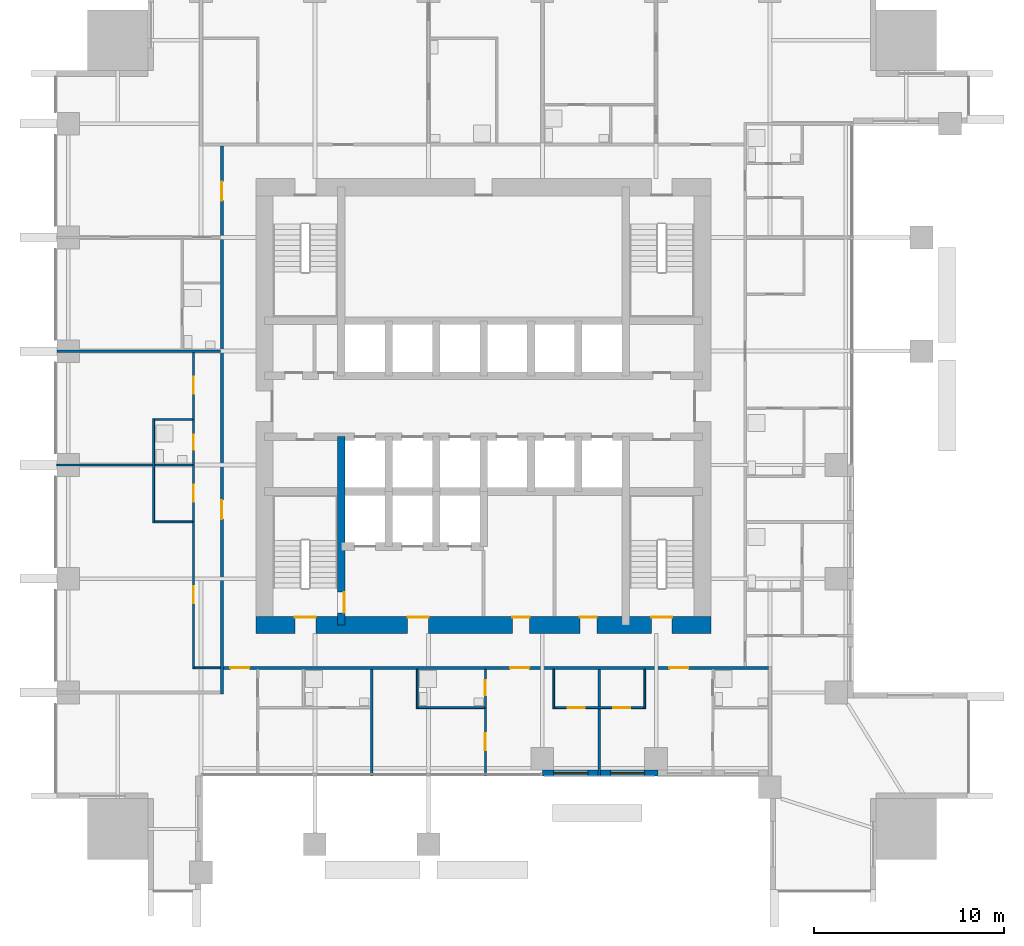
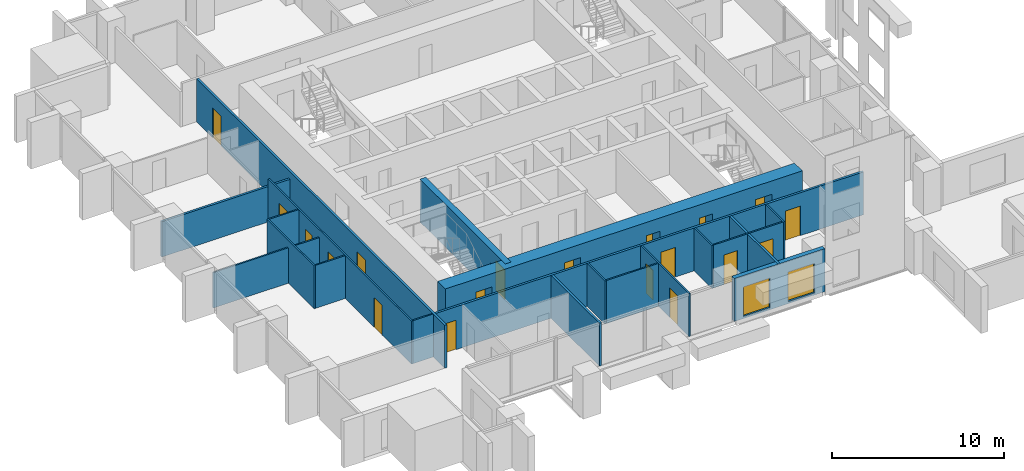
# One storey, part 7 of 13: 20 walls, 19 doors, 2 windows, 21 openings.
"""IFC4 building model written with IfcOpenShell, lengths in metres."""

from ifc_helpers import new_model, si_unit, direction, frame, frame_2d, origin, place, context, subcontext, project, spatial, rectangle, extrude, material, layer, layer_set, type_object, element, fill, save


model = new_model("IFC4")

# Units and contexts
model_context = context("Model", 3, precision=1e-05, world=origin(), true_north=direction((0.0, 1.0)))
body_context = subcontext(model_context, "Body", "Model", "MODEL_VIEW")
ifc_project = project(units=[si_unit("LENGTHUNIT", "METRE"), si_unit("AREAUNIT", "SQUARE_METRE"), si_unit("VOLUMEUNIT", "CUBIC_METRE"), si_unit("PLANEANGLEUNIT", "RADIAN"), si_unit("MASSUNIT", "GRAM", prefix="KILO")], contexts=[model_context])

# Site, building, storey
site_placement = place(None, origin())
site = spatial("IfcSite", under=ifc_project, at=site_placement, CompositionType="ELEMENT")
building_placement = place(site_placement, origin())
building = spatial("IfcBuilding", under=site, at=building_placement, Name="Amberfall Residences", CompositionType="ELEMENT")
storey_placement = place(building_placement, frame((0.0, 0.0, 56.5)))
storey = spatial("IfcBuildingStorey", under=building, at=storey_placement, Name="L15", CompositionType="ELEMENT", Elevation=56.5)

# Wall, openings, windows
ifc_material_1 = material(Name="Pale stone cladding on insulated backing", Category="masonry")
ifc_layer_1 = layer(ifc_material_1, 0.300048828125)
ifc_layer_set_1 = layer_set([ifc_layer_1], Name="Bronze clad wall 300")
wall_type_1 = type_object("IfcWallType", Name="Bronze clad wall 300", PredefinedType="SOLIDWALL", material=ifc_layer_set_1)
wall_1_placement = place(storey_placement, frame((77.60009765625, 26.14990234375, 0.0), z_axis=(0.0, 0.0, 1.0), x_axis=(1.0, 0.0, 0.0)))
wall_1 = element("IfcWall", 1, at=wall_1_placement, inside=storey, type_object=wall_type_1, Name="Stone wall L15 S", PredefinedType="SOLIDWALL", context=body_context, shape_type="SweptSolid", body=[
    extrude(rectangle(XDim=6.08984375, YDim=0.300048828125, at=frame_2d((3.044921875, 0.0))), origin(), (0.0, 0.0, 1.0), 3.050048828125),
])
opening_1_placement = place(wall_1_placement, frame((0.60009765625, 0.0, 0.14990234375)))
opening_1 = element("IfcOpeningElement", 2, at=opening_1_placement, cuts=wall_1, Name="Opening WN6", PredefinedType="OPENING", context=body_context, shape_type="SweptSolid", body=[
    extrude(rectangle(XDim=1.800048828125, YDim=2.10009765625, at=frame_2d((0.89990234375, 1.050048828125))), frame((0.0, 0.159912109375, 0.0), z_axis=(0.0, -1.0, 0.0), x_axis=(1.0, 0.0, 0.0)), (0.0, 0.0, 1.0), 0.320068359375),
])
opening_2_placement = place(wall_1_placement, frame((3.60009765625, 0.0, 0.14990234375)))
opening_2 = element("IfcOpeningElement", 3, at=opening_2_placement, cuts=wall_1, Name="Opening WN6", PredefinedType="OPENING", context=body_context, shape_type="SweptSolid", body=[
    extrude(rectangle(XDim=1.800048828125, YDim=2.10009765625, at=frame_2d((0.89990234375, 1.050048828125))), frame((0.0, 0.159912109375, 0.0), z_axis=(0.0, -1.0, 0.0), x_axis=(1.0, 0.0, 0.0)), (0.0, 0.0, 1.0), 0.320068359375),
])
ifc_material_2 = material(Name="Bronze aluminium framed glazing", Category="aluminium")
window_type = type_object("IfcWindowType", Name="Glazed opening 1800 x 2100 bronze", PartitioningType="DOUBLE_PANEL_VERTICAL", PredefinedType="WINDOW", material=ifc_material_2)
window_1_placement = place(opening_1_placement, origin())
window_1 = element("IfcWindow", 4, at=window_1_placement, inside=storey, type_object=window_type, Name="Window L15 S", OverallHeight=2.10009765625, OverallWidth=1.800048828125, PartitioningType="DOUBLE_PANEL_VERTICAL", PredefinedType="WINDOW", context=body_context, shape_type="SweptSolid", body=[
    extrude(rectangle(XDim=1.800048828125, YDim=2.10009765625, at=frame_2d((0.89990234375, 1.050048828125))), frame((0.0, 0.030029296875, 0.0), z_axis=(0.0, -1.0, 0.0), x_axis=(1.0, 0.0, 0.0)), (0.0, 0.0, 1.0), 0.06005859375),
])
fill(opening_1, window_1)
window_2_placement = place(opening_2_placement, origin())
window_2 = element("IfcWindow", 5, at=window_2_placement, inside=storey, type_object=window_type, Name="Window L15 S", OverallHeight=2.10009765625, OverallWidth=1.800048828125, PartitioningType="DOUBLE_PANEL_VERTICAL", PredefinedType="WINDOW", context=body_context, shape_type="SweptSolid", body=[
    extrude(rectangle(XDim=1.800048828125, YDim=2.10009765625, at=frame_2d((0.89990234375, 1.050048828125))), frame((0.0, 0.030029296875, 0.0), z_axis=(0.0, -1.0, 0.0), x_axis=(1.0, 0.0, 0.0)), (0.0, 0.0, 1.0), 0.06005859375),
])
fill(opening_2, window_2)

# Wall, opening, door
ifc_material_3 = material(Name="Concrete C80", Category="concrete")
ifc_layer_2 = layer(ifc_material_3, 0.39990234375)
ifc_layer_set_2 = layer_set([ifc_layer_2], Name="Core wall 400 C80")
wall_type_2 = type_object("IfcWallType", Name="Core wall 400 C80", PredefinedType="SHEAR", material=ifc_layer_set_2)
wall_2_placement = place(storey_placement, frame((67.0, 33.949951171875, 0.0), z_axis=(0.0, 0.0, 1.0), x_axis=(0.0, 1.0, 0.0)))
wall_2 = element("IfcWall", 6, at=wall_2_placement, inside=storey, type_object=wall_type_2, Name="Core wall RW2 L15 V45S", PredefinedType="SHEAR", context=body_context, shape_type="SweptSolid", body=[
    extrude(rectangle(XDim=9.949951171875, YDim=0.39990234375, at=frame_2d((4.97509765625, 0.0))), origin(), (0.0, 0.0, 1.0), 3.050048828125),
])
opening_3_placement = place(wall_2_placement, frame((0.64990234375, 0.0, 0.0)))
opening_3 = element("IfcOpeningElement", 7, at=opening_3_placement, cuts=wall_2, Name="Opening FL1", PredefinedType="OPENING", context=body_context, shape_type="SweptSolid", body=[
    extrude(rectangle(XDim=1.10009765625, YDim=2.10009765625, at=frame_2d((0.550048828125, 1.050048828125))), frame((0.0, 0.2099609375, 0.0), z_axis=(0.0, -1.0, 0.0), x_axis=(1.0, 0.0, 0.0)), (0.0, 0.0, 1.0), 0.419921875),
])
ifc_material_4 = material(Name="Steel fire door set", Category="steel")
door_type_1 = type_object("IfcDoorType", Name="Firefighting lobby door 1100 x 2100", OperationType="SINGLE_SWING_LEFT", PredefinedType="DOOR", material=ifc_material_4)
door_1_placement = place(opening_3_placement, origin())
door_1 = element("IfcDoor", 8, at=door_1_placement, inside=storey, type_object=door_type_1, Name="FL1 L15", OperationType="SINGLE_SWING_RIGHT", OverallHeight=2.10009765625, OverallWidth=1.10009765625, PredefinedType="DOOR", context=body_context, shape_type="SweptSolid", body=[
    extrude(rectangle(XDim=1.10009765625, YDim=2.10009765625, at=frame_2d((0.550048828125, 1.050048828125))), frame((0.0, -0.1376953125, 0.0), z_axis=(0.0, -1.0, 0.0), x_axis=(1.0, 0.0, 0.0)), (0.0, 0.0, 1.0), 0.050048828125),
])
fill(opening_3, door_1)

# Wall, openings, doors
ifc_layer_3 = layer(ifc_material_3, 0.89990234375)
ifc_layer_set_3 = layer_set([ifc_layer_3], Name="Core wall 900 C80")
wall_type_3 = type_object("IfcWallType", Name="Core wall 900 C80", PredefinedType="SHEAR", material=ifc_layer_set_3)
wall_3_placement = place(storey_placement, frame((62.5, 33.949951171875, 0.0), z_axis=(0.0, 0.0, 1.0), x_axis=(1.0, 0.0, 0.0)))
wall_3 = element("IfcWall", 9, at=wall_3_placement, inside=storey, type_object=wall_type_3, Name="Core wall RW1 L15 OS", PredefinedType="SHEAR", context=body_context, shape_type="SweptSolid", body=[
    extrude(rectangle(XDim=24.0, YDim=0.89990234375, at=frame_2d((12.0, 0.0))), origin(), (0.0, 0.0, 1.0), 3.050048828125),
])
opening_4_placement = place(wall_3_placement, frame((2.050048828125, 0.0, 0.0)))
opening_4 = element("IfcOpeningElement", 10, at=opening_4_placement, cuts=wall_3, Name="Opening SD1", PredefinedType="OPENING", context=body_context, shape_type="SweptSolid", body=[
    extrude(rectangle(XDim=1.10009765625, YDim=2.10009765625, at=frame_2d((0.550048828125, 1.050048828125))), frame((0.0, 0.4599609375, 0.0), z_axis=(0.0, -1.0, 0.0), x_axis=(1.0, 0.0, 0.0)), (0.0, 0.0, 1.0), 0.919921875),
])
opening_5_placement = place(wall_3_placement, frame((20.85009765625, 0.0, 0.0)))
opening_5 = element("IfcOpeningElement", 11, at=opening_5_placement, cuts=wall_3, Name="Opening SD1", PredefinedType="OPENING", context=body_context, shape_type="SweptSolid", body=[
    extrude(rectangle(XDim=1.10009765625, YDim=2.10009765625, at=frame_2d((0.550048828125, 1.050048828125))), frame((0.0, 0.4599609375, 0.0), z_axis=(0.0, -1.0, 0.0), x_axis=(1.0, 0.0, 0.0)), (0.0, 0.0, 1.0), 0.919921875),
])
opening_6_placement = place(wall_3_placement, frame((8.0, 0.0, 0.0)))
opening_6 = element("IfcOpeningElement", 12, at=opening_6_placement, cuts=wall_3, Name="Opening FL1", PredefinedType="OPENING", context=body_context, shape_type="SweptSolid", body=[
    extrude(rectangle(XDim=1.10009765625, YDim=2.10009765625, at=frame_2d((0.550048828125, 1.050048828125))), frame((0.0, 0.4599609375, 0.0), z_axis=(0.0, -1.0, 0.0), x_axis=(1.0, 0.0, 0.0)), (0.0, 0.0, 1.0), 0.919921875),
])
opening_7_placement = place(wall_3_placement, frame((13.52490234375, 0.0, 0.0)))
opening_7 = element("IfcOpeningElement", 13, at=opening_7_placement, cuts=wall_3, Name="Opening RD1", PredefinedType="OPENING", context=body_context, shape_type="SweptSolid", body=[
    extrude(rectangle(XDim=0.89990234375, YDim=2.10009765625, at=frame_2d((0.449951171875, 1.050048828125))), frame((0.0, 0.4599609375, 0.0), z_axis=(0.0, -1.0, 0.0), x_axis=(1.0, 0.0, 0.0)), (0.0, 0.0, 1.0), 0.919921875),
])
opening_8_placement = place(wall_3_placement, frame((17.074951171875, 0.0, 0.0)))
opening_8 = element("IfcOpeningElement", 14, at=opening_8_placement, cuts=wall_3, Name="Opening RD1", PredefinedType="OPENING", context=body_context, shape_type="SweptSolid", body=[
    extrude(rectangle(XDim=0.89990234375, YDim=2.10009765625, at=frame_2d((0.449951171875, 1.050048828125))), frame((0.0, 0.4599609375, 0.0), z_axis=(0.0, -1.0, 0.0), x_axis=(1.0, 0.0, 0.0)), (0.0, 0.0, 1.0), 0.919921875),
])
door_2_placement = place(opening_6_placement, origin())
door_2 = element("IfcDoor", 15, at=door_2_placement, inside=storey, type_object=door_type_1, Name="FL1 L15", OperationType="SINGLE_SWING_LEFT", OverallHeight=2.10009765625, OverallWidth=1.10009765625, PredefinedType="DOOR", context=body_context, shape_type="SweptSolid", body=[
    extrude(rectangle(XDim=1.10009765625, YDim=2.10009765625, at=frame_2d((0.550048828125, 1.050048828125))), frame((0.0, 0.4375, 0.0), z_axis=(0.0, -1.0, 0.0), x_axis=(1.0, 0.0, 0.0)), (0.0, 0.0, 1.0), 0.050048828125),
])
fill(opening_6, door_2)
door_type_2 = type_object("IfcDoorType", Name="Service room door 900 x 2100", OperationType="SINGLE_SWING_LEFT", PredefinedType="DOOR", material=ifc_material_4)
door_3_placement = place(opening_7_placement, origin())
door_3 = element("IfcDoor", 16, at=door_3_placement, inside=storey, type_object=door_type_2, Name="RD1 L15", OperationType="SINGLE_SWING_LEFT", OverallHeight=2.10009765625, OverallWidth=0.89990234375, PredefinedType="DOOR", context=body_context, shape_type="SweptSolid", body=[
    extrude(rectangle(XDim=0.89990234375, YDim=2.10009765625, at=frame_2d((0.449951171875, 1.050048828125))), frame((0.0, 0.4375, 0.0), z_axis=(0.0, -1.0, 0.0), x_axis=(1.0, 0.0, 0.0)), (0.0, 0.0, 1.0), 0.050048828125),
])
fill(opening_7, door_3)
door_4_placement = place(opening_8_placement, origin())
door_4 = element("IfcDoor", 17, at=door_4_placement, inside=storey, type_object=door_type_2, Name="RD1 L15", OperationType="SINGLE_SWING_LEFT", OverallHeight=2.10009765625, OverallWidth=0.89990234375, PredefinedType="DOOR", context=body_context, shape_type="SweptSolid", body=[
    extrude(rectangle(XDim=0.89990234375, YDim=2.10009765625, at=frame_2d((0.449951171875, 1.050048828125))), frame((0.0, 0.4375, 0.0), z_axis=(0.0, -1.0, 0.0), x_axis=(1.0, 0.0, 0.0)), (0.0, 0.0, 1.0), 0.050048828125),
])
fill(opening_8, door_4)
door_type_3 = type_object("IfcDoorType", Name="Stair door 1100 x 2100", OperationType="SINGLE_SWING_LEFT", PredefinedType="DOOR", material=ifc_material_4)
door_5_placement = place(opening_4_placement, origin())
door_5 = element("IfcDoor", 18, at=door_5_placement, inside=storey, type_object=door_type_3, Name="SD1 L15", OperationType="SINGLE_SWING_LEFT", OverallHeight=2.10009765625, OverallWidth=1.10009765625, PredefinedType="DOOR", context=body_context, shape_type="SweptSolid", body=[
    extrude(rectangle(XDim=1.10009765625, YDim=2.10009765625, at=frame_2d((0.550048828125, 1.050048828125))), frame((0.0, 0.4375, 0.0), z_axis=(0.0, -1.0, 0.0), x_axis=(1.0, 0.0, 0.0)), (0.0, 0.0, 1.0), 0.050048828125),
])
fill(opening_4, door_5)
door_6_placement = place(opening_5_placement, origin())
door_6 = element("IfcDoor", 19, at=door_6_placement, inside=storey, type_object=door_type_3, Name="SD1 L15", OperationType="SINGLE_SWING_RIGHT", OverallHeight=2.10009765625, OverallWidth=1.10009765625, PredefinedType="DOOR", context=body_context, shape_type="SweptSolid", body=[
    extrude(rectangle(XDim=1.10009765625, YDim=2.10009765625, at=frame_2d((0.550048828125, 1.050048828125))), frame((0.0, 0.4375, 0.0), z_axis=(0.0, -1.0, 0.0), x_axis=(1.0, 0.0, 0.0)), (0.0, 0.0, 1.0), 0.050048828125),
])
fill(opening_5, door_6)

# Wall
ifc_material_5 = material(Name="Gypsum board on metal stud")
ifc_layer_4 = layer(ifc_material_5, 0.10009765625)
ifc_layer_set_4 = layer_set([ifc_layer_4], Name="Flat partition 100")
wall_type_4 = type_object("IfcWallType", Name="Flat partition 100", PredefinedType="PARTITIONING", material=ifc_layer_set_4)
wall_4_placement = place(storey_placement, frame((57.10009765625, 39.35009765625, 0.0), z_axis=(0.0, 0.0, 1.0), x_axis=(0.0, 1.0, 0.0)))
element("IfcWall", 20, at=wall_4_placement, inside=storey, type_object=wall_type_4, Name="Partition 001", PredefinedType="PARTITIONING", context=body_context, shape_type="SweptSolid", body=[
    extrude(rectangle(XDim=5.5, YDim=0.10009765625, at=frame_2d((2.75, 0.0))), origin(), (0.0, 0.0, 1.0), 3.050048828125),
])

# Wall, openings, doors
wall_5_placement = place(storey_placement, frame((59.199951171875, 31.64990234375, 0.0), z_axis=(0.0, 0.0, 1.0), x_axis=(0.0, 1.0, 0.0)))
wall_5 = element("IfcWall", 21, at=wall_5_placement, inside=storey, type_object=wall_type_4, Name="Partition 003", PredefinedType="PARTITIONING", context=body_context, shape_type="SweptSolid", body=[
    extrude(rectangle(XDim=16.675048828125, YDim=0.10009765625, at=frame_2d((8.33740234375, 0.0))), origin(), (0.0, 0.0, 1.0), 3.050048828125),
])
opening_9_placement = place(wall_5_placement, frame((3.449951171875, 0.0, 0.0)))
opening_9 = element("IfcOpeningElement", 22, at=opening_9_placement, cuts=wall_5, Name="Opening D41", PredefinedType="OPENING", context=body_context, shape_type="SweptSolid", body=[
    extrude(rectangle(XDim=0.89990234375, YDim=2.10009765625, at=frame_2d((0.449951171875, 1.050048828125))), frame((0.0, 0.06005859375, 0.0), z_axis=(0.0, -1.0, 0.0), x_axis=(1.0, 0.0, 0.0)), (0.0, 0.0, 1.0), 0.1201171875),
])
opening_10_placement = place(wall_5_placement, frame((8.800048828125, 0.0, 0.0)))
opening_10 = element("IfcOpeningElement", 23, at=opening_10_placement, cuts=wall_5, Name="Opening D41", PredefinedType="OPENING", context=body_context, shape_type="SweptSolid", body=[
    extrude(rectangle(XDim=0.89990234375, YDim=2.10009765625, at=frame_2d((0.449951171875, 1.050048828125))), frame((0.0, 0.06005859375, 0.0), z_axis=(0.0, -1.0, 0.0), x_axis=(1.0, 0.0, 0.0)), (0.0, 0.0, 1.0), 0.1201171875),
])
opening_11_placement = place(wall_5_placement, frame((14.5, 0.0, 0.0)))
opening_11 = element("IfcOpeningElement", 24, at=opening_11_placement, cuts=wall_5, Name="Opening D41", PredefinedType="OPENING", context=body_context, shape_type="SweptSolid", body=[
    extrude(rectangle(XDim=0.89990234375, YDim=2.10009765625, at=frame_2d((0.449951171875, 1.050048828125))), frame((0.0, 0.06005859375, 0.0), z_axis=(0.0, -1.0, 0.0), x_axis=(1.0, 0.0, 0.0)), (0.0, 0.0, 1.0), 0.1201171875),
])
opening_12_placement = place(wall_5_placement, frame((11.550048828125, 0.0, 0.0)))
opening_12 = element("IfcOpeningElement", 25, at=opening_12_placement, cuts=wall_5, Name="Opening D42", PredefinedType="OPENING", context=body_context, shape_type="SweptSolid", body=[
    extrude(rectangle(XDim=0.800048828125, YDim=2.10009765625, at=frame_2d((0.39990234375, 1.050048828125))), frame((0.0, 0.06005859375, 0.0), z_axis=(0.0, -1.0, 0.0), x_axis=(1.0, 0.0, 0.0)), (0.0, 0.0, 1.0), 0.1201171875),
])
ifc_material_6 = material(Name="Timber", Category="wood")
door_type_4 = type_object("IfcDoorType", Name="Bathroom door 800 x 2100", OperationType="SINGLE_SWING_LEFT", PredefinedType="DOOR", material=ifc_material_6)
door_7_placement = place(opening_12_placement, origin())
door_7 = element("IfcDoor", 26, at=door_7_placement, inside=storey, type_object=door_type_4, Name="Door 1509 bath1", OperationType="SINGLE_SWING_LEFT", OverallHeight=2.10009765625, OverallWidth=0.800048828125, PredefinedType="DOOR", context=body_context, shape_type="SweptSolid", body=[
    extrude(rectangle(XDim=0.800048828125, YDim=2.10009765625, at=frame_2d((0.39990234375, 1.050048828125))), frame((0.0, 0.02490234375, 0.0), z_axis=(0.0, -1.0, 0.0), x_axis=(1.0, 0.0, 0.0)), (0.0, 0.0, 1.0), 0.050048828125),
])
fill(opening_12, door_7)
door_type_5 = type_object("IfcDoorType", Name="Internal door 900 x 2100", OperationType="SINGLE_SWING_LEFT", PredefinedType="DOOR", material=ifc_material_6)
door_8_placement = place(opening_9_placement, origin())
door_8 = element("IfcDoor", 27, at=door_8_placement, inside=storey, type_object=door_type_5, Name="Door 1509 living", OperationType="SINGLE_SWING_LEFT", OverallHeight=2.10009765625, OverallWidth=0.89990234375, PredefinedType="DOOR", context=body_context, shape_type="SweptSolid", body=[
    extrude(rectangle(XDim=0.89990234375, YDim=2.10009765625, at=frame_2d((0.449951171875, 1.050048828125))), frame((0.0, 0.02490234375, 0.0), z_axis=(0.0, -1.0, 0.0), x_axis=(1.0, 0.0, 0.0)), (0.0, 0.0, 1.0), 0.050048828125),
])
fill(opening_9, door_8)
door_9_placement = place(opening_10_placement, origin())
door_9 = element("IfcDoor", 28, at=door_9_placement, inside=storey, type_object=door_type_5, Name="Door 1509 kitchen", OperationType="SINGLE_SWING_LEFT", OverallHeight=2.10009765625, OverallWidth=0.89990234375, PredefinedType="DOOR", context=body_context, shape_type="SweptSolid", body=[
    extrude(rectangle(XDim=0.89990234375, YDim=2.10009765625, at=frame_2d((0.449951171875, 1.050048828125))), frame((0.0, 0.02490234375, 0.0), z_axis=(0.0, -1.0, 0.0), x_axis=(1.0, 0.0, 0.0)), (0.0, 0.0, 1.0), 0.050048828125),
])
fill(opening_10, door_9)
door_10_placement = place(opening_11_placement, origin())
door_10 = element("IfcDoor", 29, at=door_10_placement, inside=storey, type_object=door_type_5, Name="Door 1509 bedroom1", OperationType="SINGLE_SWING_LEFT", OverallHeight=2.10009765625, OverallWidth=0.89990234375, PredefinedType="DOOR", context=body_context, shape_type="SweptSolid", body=[
    extrude(rectangle(XDim=0.89990234375, YDim=2.10009765625, at=frame_2d((0.449951171875, 1.050048828125))), frame((0.0, 0.02490234375, 0.0), z_axis=(0.0, -1.0, 0.0), x_axis=(1.0, 0.0, 0.0)), (0.0, 0.0, 1.0), 0.050048828125),
])
fill(opening_11, door_10)

# Wall
wall_6_placement = place(storey_placement, frame((71.0, 29.550048828125, 0.0), z_axis=(0.0, 0.0, 1.0), x_axis=(0.0, 1.0, 0.0)))
element("IfcWall", 30, at=wall_6_placement, inside=storey, type_object=wall_type_4, Name="Partition 007", PredefinedType="PARTITIONING", context=body_context, shape_type="SweptSolid", body=[
    extrude(rectangle(XDim=2.074951171875, YDim=0.10009765625, at=frame_2d((1.03759765625, 0.0))), origin(), (0.0, 0.0, 1.0), 3.050048828125),
])

# Wall, openings, doors
wall_7_placement = place(storey_placement, frame((74.60009765625, 26.0, 0.0), z_axis=(0.0, 0.0, 1.0), x_axis=(0.0, 1.0, 0.0)))
wall_7 = element("IfcWall", 31, at=wall_7_placement, inside=storey, type_object=wall_type_4, Name="Partition 009", PredefinedType="PARTITIONING", context=body_context, shape_type="SweptSolid", body=[
    extrude(rectangle(XDim=5.625, YDim=0.10009765625, at=frame_2d((2.8125, 0.0))), origin(), (0.0, 0.0, 1.0), 3.050048828125),
])
opening_13_placement = place(wall_7_placement, frame((1.35009765625, 0.0, 0.0)))
opening_13 = element("IfcOpeningElement", 32, at=opening_13_placement, cuts=wall_7, Name="Opening D41", PredefinedType="OPENING", context=body_context, shape_type="SweptSolid", body=[
    extrude(rectangle(XDim=0.89990234375, YDim=2.10009765625, at=frame_2d((0.449951171875, 1.050048828125))), frame((0.0, 0.06005859375, 0.0), z_axis=(0.0, -1.0, 0.0), x_axis=(1.0, 0.0, 0.0)), (0.0, 0.0, 1.0), 0.1201171875),
])
opening_14_placement = place(wall_7_placement, frame((4.25, 0.0, 0.0)))
opening_14 = element("IfcOpeningElement", 33, at=opening_14_placement, cuts=wall_7, Name="Opening D42", PredefinedType="OPENING", context=body_context, shape_type="SweptSolid", body=[
    extrude(rectangle(XDim=0.800048828125, YDim=2.10009765625, at=frame_2d((0.39990234375, 1.050048828125))), frame((0.0, 0.06005859375, 0.0), z_axis=(0.0, -1.0, 0.0), x_axis=(1.0, 0.0, 0.0)), (0.0, 0.0, 1.0), 0.1201171875),
])
door_11_placement = place(opening_14_placement, origin())
door_11 = element("IfcDoor", 34, at=door_11_placement, inside=storey, type_object=door_type_4, Name="Door 1502 bath1", OperationType="SINGLE_SWING_LEFT", OverallHeight=2.10009765625, OverallWidth=0.800048828125, PredefinedType="DOOR", context=body_context, shape_type="SweptSolid", body=[
    extrude(rectangle(XDim=0.800048828125, YDim=2.10009765625, at=frame_2d((0.39990234375, 1.050048828125))), frame((0.0, 0.02490234375, 0.0), z_axis=(0.0, -1.0, 0.0), x_axis=(1.0, 0.0, 0.0)), (0.0, 0.0, 1.0), 0.050048828125),
])
fill(opening_14, door_11)
door_12_placement = place(opening_13_placement, origin())
door_12 = element("IfcDoor", 35, at=door_12_placement, inside=storey, type_object=door_type_5, Name="Door 1502 bedroom1", OperationType="SINGLE_SWING_LEFT", OverallHeight=2.10009765625, OverallWidth=0.89990234375, PredefinedType="DOOR", context=body_context, shape_type="SweptSolid", body=[
    extrude(rectangle(XDim=0.89990234375, YDim=2.10009765625, at=frame_2d((0.449951171875, 1.050048828125))), frame((0.0, 0.02490234375, 0.0), z_axis=(0.0, -1.0, 0.0), x_axis=(1.0, 0.0, 0.0)), (0.0, 0.0, 1.0), 0.050048828125),
])
fill(opening_13, door_12)

# Walls
for number, where, z_axis, x_axis, name in (
    (36, (78.199951171875, 29.550048828125, 0.0), (0.0, 0.0, 1.0), (0.0, 1.0, 0.0), "Partition 011"),
    (37, (83.0, 29.550048828125, 0.0), (0.0, 0.0, 1.0), (0.0, 1.0, 0.0), "Partition 013"),
):
    element("IfcWall", number, at=place(storey_placement, frame(where, z_axis=z_axis, x_axis=x_axis)), inside=storey, type_object=wall_type_4, Name=name, PredefinedType="PARTITIONING", context=body_context, shape_type="SweptSolid", body=[
        extrude(rectangle(XDim=2.074951171875, YDim=0.10009765625, at=frame_2d((1.03759765625, 0.0))), origin(), (0.0, 0.0, 1.0), 3.050048828125),
    ])
wall_8_placement = place(storey_placement, frame((57.14990234375, 44.800048828125, 0.0), z_axis=(0.0, 0.0, 1.0), x_axis=(1.0, 0.0, 0.0)))
element("IfcWall", 38, at=wall_8_placement, inside=storey, type_object=wall_type_4, Name="Partition 030", PredefinedType="PARTITIONING", context=body_context, shape_type="SweptSolid", body=[
    extrude(rectangle(XDim=2.0, YDim=0.10009765625, at=frame_2d((1.0, 0.0))), origin(), (0.0, 0.0, 1.0), 3.050048828125),
])
wall_9_placement = place(storey_placement, frame((52.0, 42.39990234375, 0.0), z_axis=(0.0, 0.0, 1.0), x_axis=(1.0, 0.0, 0.0)))
element("IfcWall", 39, at=wall_9_placement, inside=storey, type_object=wall_type_4, Name="Partition 031", PredefinedType="PARTITIONING", context=body_context, shape_type="SweptSolid", body=[
    extrude(rectangle(XDim=7.14990234375, YDim=0.10009765625, at=frame_2d((3.574951171875, 0.0))), origin(), (0.0, 0.0, 1.0), 2.51611328125),
])
wall_10_placement = place(storey_placement, frame((57.14990234375, 39.39990234375, 0.0), z_axis=(0.0, 0.0, 1.0), x_axis=(1.0, 0.0, 0.0)))
element("IfcWall", 40, at=wall_10_placement, inside=storey, type_object=wall_type_4, Name="Partition 033", PredefinedType="PARTITIONING", context=body_context, shape_type="SweptSolid", body=[
    extrude(rectangle(XDim=2.0, YDim=0.10009765625, at=frame_2d((1.0, 0.0))), origin(), (0.0, 0.0, 1.0), 3.050048828125),
])
wall_11_placement = place(storey_placement, frame((59.25, 31.699951171875, 0.0), z_axis=(0.0, 0.0, 1.0), x_axis=(1.0, 0.0, 0.0)))
element("IfcWall", 41, at=wall_11_placement, inside=storey, type_object=wall_type_4, Name="Partition 036", PredefinedType="PARTITIONING", context=body_context, shape_type="SweptSolid", body=[
    extrude(rectangle(XDim=1.375, YDim=0.10009765625, at=frame_2d((0.6875, 0.0))), origin(), (0.0, 0.0, 1.0), 3.050048828125),
])
wall_12_placement = place(storey_placement, frame((71.050048828125, 29.60009765625, 0.0), z_axis=(0.0, 0.0, 1.0), x_axis=(1.0, 0.0, 0.0)))
element("IfcWall", 42, at=wall_12_placement, inside=storey, type_object=wall_type_4, Name="Partition 038", PredefinedType="PARTITIONING", context=body_context, shape_type="SweptSolid", body=[
    extrude(rectangle(XDim=3.5, YDim=0.10009765625, at=frame_2d((1.75, 0.0))), origin(), (0.0, 0.0, 1.0), 3.050048828125),
])

# Wall, openings, doors
wall_13_placement = place(storey_placement, frame((78.25, 29.60009765625, 0.0), z_axis=(0.0, 0.0, 1.0), x_axis=(1.0, 0.0, 0.0)))
wall_13 = element("IfcWall", 43, at=wall_13_placement, inside=storey, type_object=wall_type_4, Name="Partition 039", PredefinedType="PARTITIONING", context=body_context, shape_type="SweptSolid", body=[
    extrude(rectangle(XDim=4.699951171875, YDim=0.10009765625, at=frame_2d((2.35009765625, 0.0))), origin(), (0.0, 0.0, 1.0), 3.050048828125),
])
opening_15_placement = place(wall_13_placement, frame((0.699951171875, 0.0, 0.0)))
opening_15 = element("IfcOpeningElement", 44, at=opening_15_placement, cuts=wall_13, Name="Opening D41", PredefinedType="OPENING", context=body_context, shape_type="SweptSolid", body=[
    extrude(rectangle(XDim=0.89990234375, YDim=2.10009765625, at=frame_2d((0.449951171875, 1.050048828125))), frame((0.0, 0.06005859375, 0.0), z_axis=(0.0, -1.0, 0.0), x_axis=(1.0, 0.0, 0.0)), (0.0, 0.0, 1.0), 0.1201171875),
])
opening_16_placement = place(wall_13_placement, frame((3.10009765625, 0.0, 0.0)))
opening_16 = element("IfcOpeningElement", 45, at=opening_16_placement, cuts=wall_13, Name="Opening D41", PredefinedType="OPENING", context=body_context, shape_type="SweptSolid", body=[
    extrude(rectangle(XDim=0.89990234375, YDim=2.10009765625, at=frame_2d((0.449951171875, 1.050048828125))), frame((0.0, 0.06005859375, 0.0), z_axis=(0.0, -1.0, 0.0), x_axis=(1.0, 0.0, 0.0)), (0.0, 0.0, 1.0), 0.1201171875),
])
door_13_placement = place(opening_15_placement, origin())
door_13 = element("IfcDoor", 46, at=door_13_placement, inside=storey, type_object=door_type_5, Name="Door 1502 kitchen", OperationType="SINGLE_SWING_LEFT", OverallHeight=2.10009765625, OverallWidth=0.89990234375, PredefinedType="DOOR", context=body_context, shape_type="SweptSolid", body=[
    extrude(rectangle(XDim=0.89990234375, YDim=2.10009765625, at=frame_2d((0.449951171875, 1.050048828125))), frame((0.0, 0.02490234375, 0.0), z_axis=(0.0, -1.0, 0.0), x_axis=(1.0, 0.0, 0.0)), (0.0, 0.0, 1.0), 0.050048828125),
])
fill(opening_15, door_13)
door_14_placement = place(opening_16_placement, origin())
door_14 = element("IfcDoor", 47, at=door_14_placement, inside=storey, type_object=door_type_5, Name="Door 1503 kitchen", OperationType="SINGLE_SWING_LEFT", OverallHeight=2.10009765625, OverallWidth=0.89990234375, PredefinedType="DOOR", context=body_context, shape_type="SweptSolid", body=[
    extrude(rectangle(XDim=0.89990234375, YDim=2.10009765625, at=frame_2d((0.449951171875, 1.050048828125))), frame((0.0, 0.02490234375, 0.0), z_axis=(0.0, -1.0, 0.0), x_axis=(1.0, 0.0, 0.0)), (0.0, 0.0, 1.0), 0.050048828125),
])
fill(opening_16, door_14)

ifc_material_7 = material(Name="Blockwork, plastered", Category="masonry")
ifc_layer_5 = layer(ifc_material_7, 0.14990234375)
ifc_layer_set_5 = layer_set([ifc_layer_5], Name="Flat separating wall 150")
wall_type_5 = type_object("IfcWallType", Name="Flat separating wall 150", PredefinedType="PARTITIONING", material=ifc_layer_set_5)
wall_14_placement = place(storey_placement, frame((60.699951171875, 30.324951171875, 0.0), z_axis=(0.0, 0.0, 1.0), x_axis=(0.0, 1.0, 0.0)))
wall_14 = element("IfcWall", 48, at=wall_14_placement, inside=storey, type_object=wall_type_5, Name="Separating wall 042", PredefinedType="PARTITIONING", context=body_context, shape_type="SweptSolid", body=[
    extrude(rectangle(XDim=28.900146484375, YDim=0.14990234375, at=frame_2d((14.4501953125, 0.0))), origin(), (0.0, 0.0, 1.0), 3.050048828125),
])
opening_17_placement = place(wall_14_placement, frame((9.22509765625, 0.0, 0.0)))
opening_17 = element("IfcOpeningElement", 49, at=opening_17_placement, cuts=wall_14, Name="Opening D40", PredefinedType="OPENING", context=body_context, shape_type="SweptSolid", body=[
    extrude(rectangle(XDim=1.0, YDim=2.10009765625, at=frame_2d((0.5, 1.050048828125))), frame((0.0, 0.0849609375, 0.0), z_axis=(0.0, -1.0, 0.0), x_axis=(1.0, 0.0, 0.0)), (0.0, 0.0, 1.0), 0.169921875),
])
opening_18_placement = place(wall_14_placement, frame((26.02490234375, 0.0, 0.0)))
opening_18 = element("IfcOpeningElement", 50, at=opening_18_placement, cuts=wall_14, Name="Opening D40", PredefinedType="OPENING", context=body_context, shape_type="SweptSolid", body=[
    extrude(rectangle(XDim=1.0, YDim=2.10009765625, at=frame_2d((0.5, 1.050048828125))), frame((0.0, 0.0849609375, 0.0), z_axis=(0.0, -1.0, 0.0), x_axis=(1.0, 0.0, 0.0)), (0.0, 0.0, 1.0), 0.169921875),
])
ifc_material_8 = material(Name="Timber, fire-rated", Category="wood")
door_type_6 = type_object("IfcDoorType", Name="Flat entrance door FD60 1000 x 2100", OperationType="SINGLE_SWING_LEFT", PredefinedType="DOOR", material=ifc_material_8)
door_15_placement = place(opening_17_placement, origin())
door_15 = element("IfcDoor", 51, at=door_15_placement, inside=storey, type_object=door_type_6, Name="Door 1509 entrance", OperationType="SINGLE_SWING_LEFT", OverallHeight=2.10009765625, OverallWidth=1.0, PredefinedType="DOOR", context=body_context, shape_type="SweptSolid", body=[
    extrude(rectangle(XDim=1.0, YDim=2.10009765625, at=frame_2d((0.5, 1.050048828125))), frame((0.0, 0.02490234375, 0.0), z_axis=(0.0, -1.0, 0.0), x_axis=(1.0, 0.0, 0.0)), (0.0, 0.0, 1.0), 0.050048828125),
])
fill(opening_17, door_15)
door_16_placement = place(opening_18_placement, origin())
door_16 = element("IfcDoor", 52, at=door_16_placement, inside=storey, type_object=door_type_6, Name="Door 1510 entrance", OperationType="SINGLE_SWING_LEFT", OverallHeight=2.10009765625, OverallWidth=1.0, PredefinedType="DOOR", context=body_context, shape_type="SweptSolid", body=[
    extrude(rectangle(XDim=1.0, YDim=2.10009765625, at=frame_2d((0.5, 1.050048828125))), frame((0.0, 0.02490234375, 0.0), z_axis=(0.0, -1.0, 0.0), x_axis=(1.0, 0.0, 0.0)), (0.0, 0.0, 1.0), 0.050048828125),
])
fill(opening_18, door_16)

# Walls
for number, where, z_axis, x_axis, name in (
    (53, (68.60009765625, 26.0, 0.0), (0.0, 0.0, 1.0), (0.0, 1.0, 0.0), "Separating wall 043"),
    (54, (80.60009765625, 26.0, 0.0), (0.0, 0.0, 1.0), (0.0, 1.0, 0.0), "Separating wall 045"),
):
    element("IfcWall", number, at=place(storey_placement, frame(where, z_axis=z_axis, x_axis=x_axis)), inside=storey, type_object=wall_type_5, Name=name, PredefinedType="PARTITIONING", context=body_context, shape_type="SweptSolid", body=[
        extrude(rectangle(XDim=5.625, YDim=0.14990234375, at=frame_2d((2.8125, 0.0))), origin(), (0.0, 0.0, 1.0), 3.050048828125),
    ])
wall_15_placement = place(storey_placement, frame((52.0, 48.39990234375, 0.0), z_axis=(0.0, 0.0, 1.0), x_axis=(1.0, 0.0, 0.0)))
element("IfcWall", 55, at=wall_15_placement, inside=storey, type_object=wall_type_5, Name="Separating wall 051", PredefinedType="PARTITIONING", context=body_context, shape_type="SweptSolid", body=[
    extrude(rectangle(XDim=8.625, YDim=0.14990234375, at=frame_2d((4.3125, 0.0))), origin(), (0.0, 0.0, 1.0), 2.51611328125),
])

# Wall, openings, doors
wall_16_placement = place(storey_placement, frame((89.52490234375, 31.699951171875, 0.0), z_axis=(0.0, 0.0, 1.0), x_axis=(-1.0, 0.0, 0.0)))
wall_16 = element("IfcWall", 56, at=wall_16_placement, inside=storey, type_object=wall_type_5, Name="Separating wall 053", PredefinedType="PARTITIONING", context=body_context, shape_type="SweptSolid", body=[
    extrude(rectangle(XDim=28.75, YDim=0.14990234375, at=frame_2d((14.375, 0.0))), origin(), (0.0, 0.0, 1.0), 3.050048828125),
])
opening_19_placement = place(wall_16_placement, frame((27.375, 0.0, 0.0)))
opening_19 = element("IfcOpeningElement", 57, at=opening_19_placement, cuts=wall_16, Name="Opening D40", PredefinedType="OPENING", context=body_context, shape_type="SweptSolid", body=[
    extrude(rectangle(XDim=1.0, YDim=2.10009765625, at=frame_2d((0.5, 1.050048828125))), frame((0.0, 0.0849609375, 0.0), z_axis=(0.0, -1.0, 0.0), x_axis=(1.0, 0.0, 0.0)), (0.0, 0.0, 1.0), 0.169921875),
])
opening_20_placement = place(wall_16_placement, frame((12.625, 0.0, 0.0)))
opening_20 = element("IfcOpeningElement", 58, at=opening_20_placement, cuts=wall_16, Name="Opening D40", PredefinedType="OPENING", context=body_context, shape_type="SweptSolid", body=[
    extrude(rectangle(XDim=1.0, YDim=2.10009765625, at=frame_2d((0.5, 1.050048828125))), frame((0.0, 0.0849609375, 0.0), z_axis=(0.0, -1.0, 0.0), x_axis=(1.0, 0.0, 0.0)), (0.0, 0.0, 1.0), 0.169921875),
])
opening_21_placement = place(wall_16_placement, frame((4.22509765625, 0.0, 0.0)))
opening_21 = element("IfcOpeningElement", 59, at=opening_21_placement, cuts=wall_16, Name="Opening D40", PredefinedType="OPENING", context=body_context, shape_type="SweptSolid", body=[
    extrude(rectangle(XDim=1.0, YDim=2.10009765625, at=frame_2d((0.5, 1.050048828125))), frame((0.0, 0.0849609375, 0.0), z_axis=(0.0, -1.0, 0.0), x_axis=(1.0, 0.0, 0.0)), (0.0, 0.0, 1.0), 0.169921875),
])
door_17_placement = place(opening_19_placement, origin())
door_17 = element("IfcDoor", 60, at=door_17_placement, inside=storey, type_object=door_type_6, Name="Door 1501 entrance", OperationType="SINGLE_SWING_LEFT", OverallHeight=2.10009765625, OverallWidth=1.0, PredefinedType="DOOR", context=body_context, shape_type="SweptSolid", body=[
    extrude(rectangle(XDim=1.0, YDim=2.10009765625, at=frame_2d((0.5, 1.050048828125))), frame((0.0, 0.02490234375, 0.0), z_axis=(0.0, -1.0, 0.0), x_axis=(1.0, 0.0, 0.0)), (0.0, 0.0, 1.0), 0.050048828125),
])
fill(opening_19, door_17)
door_18_placement = place(opening_20_placement, origin())
door_18 = element("IfcDoor", 61, at=door_18_placement, inside=storey, type_object=door_type_6, Name="Door 1502 entrance", OperationType="SINGLE_SWING_LEFT", OverallHeight=2.10009765625, OverallWidth=1.0, PredefinedType="DOOR", context=body_context, shape_type="SweptSolid", body=[
    extrude(rectangle(XDim=1.0, YDim=2.10009765625, at=frame_2d((0.5, 1.050048828125))), frame((0.0, 0.02490234375, 0.0), z_axis=(0.0, -1.0, 0.0), x_axis=(1.0, 0.0, 0.0)), (0.0, 0.0, 1.0), 0.050048828125),
])
fill(opening_20, door_18)
door_19_placement = place(opening_21_placement, origin())
door_19 = element("IfcDoor", 62, at=door_19_placement, inside=storey, type_object=door_type_6, Name="Door 1503 entrance", OperationType="SINGLE_SWING_LEFT", OverallHeight=2.10009765625, OverallWidth=1.0, PredefinedType="DOOR", context=body_context, shape_type="SweptSolid", body=[
    extrude(rectangle(XDim=1.0, YDim=2.10009765625, at=frame_2d((0.5, 1.050048828125))), frame((0.0, 0.02490234375, 0.0), z_axis=(0.0, -1.0, 0.0), x_axis=(1.0, 0.0, 0.0)), (0.0, 0.0, 1.0), 0.050048828125),
])
fill(opening_21, door_19)

save(model, "model.ifc")
